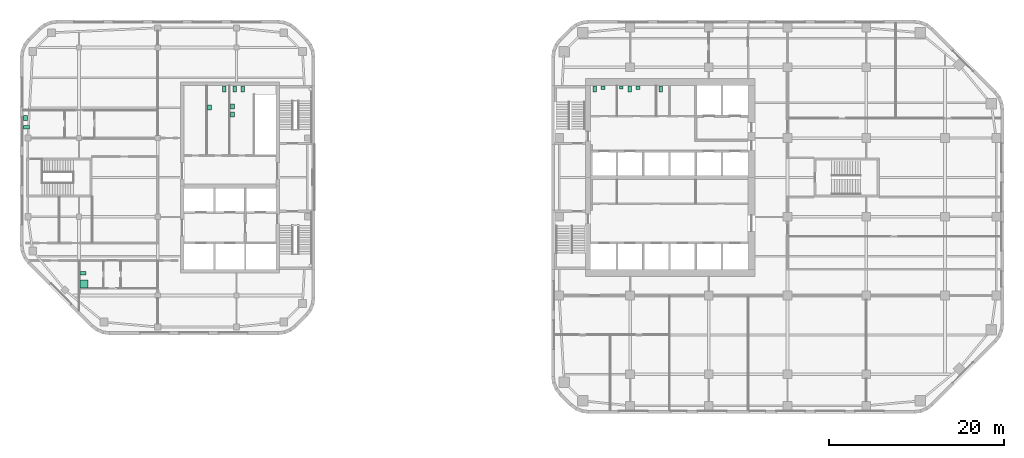
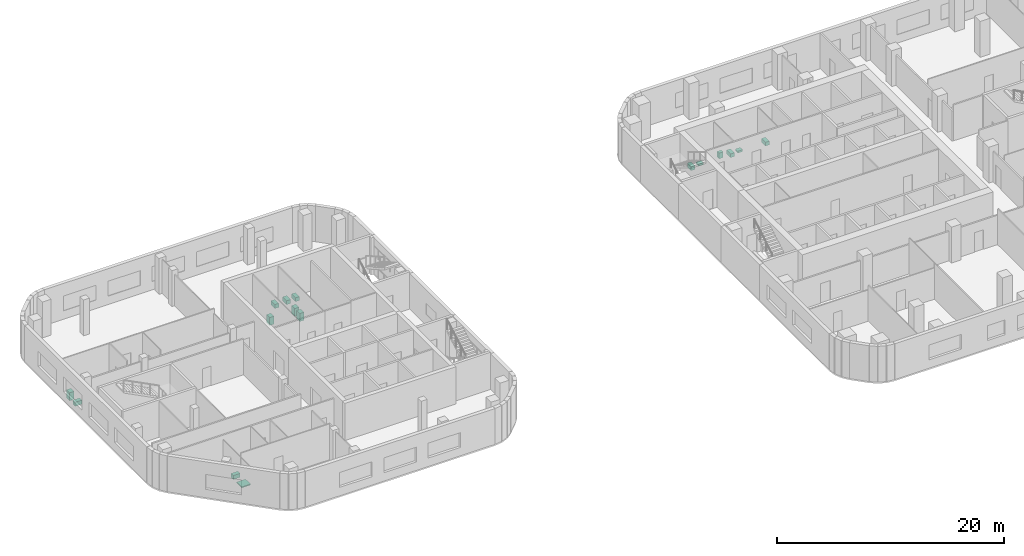
# One storey, part 14 of 14: 16 sanitary terminals.
"""IFC4 building model written with IfcOpenShell, lengths in metres."""

import ifcopenshell
import ifcopenshell.guid

model = None  # the IFC model being written
_history = None  # IfcOwnerHistory: only IFC2X3 demands one
_inside = {}  # id of a spatial element -> (the spatial element, [elements in it])
_under = {}  # id of a project, library or spatial element -> (it, [spatial elements below it])
_declared = {}  # id of a project -> (the project, [libraries it declares])
_typed = {}  # id of a type object -> (the type object, [elements of that type])
_made_of = {}  # id of a material, layer set ... -> (it, [elements and type objects made of it])


def new_model(schema):
    """Start an empty IFC model of exactly this schema.

    Asked for "IFC4X3", IfcOpenShell would pick the latest addendum, in which some entities
    have other attributes; the version numbers below select the first issue.
    IFC2X3 requires an IfcOwnerHistory on every rooted entity: one is made here for all.
    """
    global model, _history
    if schema == "IFC4X3":
        model = ifcopenshell.file(schema_version=(4, 3, 0, 0))
    else:
        model = ifcopenshell.file(schema=schema)
    _inside.clear()
    _under.clear()
    _declared.clear()
    _typed.clear()
    _made_of.clear()
    _history = None
    if model.schema == "IFC2X3":
        org = make("IfcOrganization", Name="unknown")
        user = make(
            "IfcPersonAndOrganization",
            ThePerson=make("IfcPerson", FamilyName="unknown"),
            TheOrganization=org,
        )
        app = make(
            "IfcApplication",
            ApplicationDeveloper=org,
            Version="unknown",
            ApplicationFullName="unknown",
            ApplicationIdentifier="unknown",
        )
        _history = make(
            "IfcOwnerHistory",
            OwningUser=user,
            OwningApplication=app,
            ChangeAction="ADDED",
            CreationDate=0,
        )
    return model


def make(cls, **values):
    """One entity of the class cls with the attributes given. An attribute that is None is left unset."""
    return model.create_entity(
        cls, **{name: value for name, value in values.items() if value is not None}
    )


def rooted(cls, **values):
    """An entity with a GlobalId (a new one), such as an element, a storey or a relation."""
    return make(cls, GlobalId=ifcopenshell.guid.new(), OwnerHistory=_history, **values)


def si_unit(unit_type, name, prefix=None):
    """IfcSIUnit, for example si_unit("LENGTHUNIT", "METRE", prefix="MILLI")."""
    return make("IfcSIUnit", UnitType=unit_type, Prefix=prefix, Name=name)


def assignment(units):
    """IfcUnitAssignment: the units of a project."""
    return None if units is None else make("IfcUnitAssignment", Units=units)


def point(xyz):
    """IfcCartesianPoint."""
    return None if xyz is None else make("IfcCartesianPoint", Coordinates=xyz)


def direction(xyz):
    """IfcDirection."""
    return None if xyz is None else make("IfcDirection", DirectionRatios=xyz)


def frame(location, z_axis=None, x_axis=None):
    """IfcAxis2Placement3D, a coordinate frame: its origin and axes. An axis left out is left unset."""
    return make(
        "IfcAxis2Placement3D",
        Location=point(location),
        Axis=direction(z_axis),
        RefDirection=direction(x_axis),
    )


def frame_2d(location, x_axis=None):
    """IfcAxis2Placement2D, a coordinate frame in the plane: its origin and x axis."""
    return make(
        "IfcAxis2Placement2D", Location=point(location), RefDirection=direction(x_axis)
    )


def origin():
    """The frame at (0, 0, 0) with its axes left unset."""
    return frame((0.0, 0.0, 0.0))


def origin_2d():
    """The frame at (0, 0) in the plane with its x axis left unset."""
    return frame_2d((0.0, 0.0))


def place(relative_to, where):
    """IfcLocalPlacement: puts the frame where relative to a parent placement (None: the world)."""
    return make(
        "IfcLocalPlacement", PlacementRelTo=relative_to, RelativePlacement=where
    )


def context(
    kind, dimensions, precision=None, world=None, true_north=None, identifier=None
):
    """IfcGeometricRepresentationContext, for example the 3D "Model" context."""
    return make(
        "IfcGeometricRepresentationContext",
        ContextIdentifier=identifier,
        ContextType=kind,
        CoordinateSpaceDimension=dimensions,
        Precision=precision,
        WorldCoordinateSystem=world,
        TrueNorth=true_north,
    )


def subcontext(parent, identifier, kind, view, scale=None):
    """IfcGeometricRepresentationSubContext, for example "Body" below "Model"."""
    return make(
        "IfcGeometricRepresentationSubContext",
        ContextIdentifier=identifier,
        ContextType=kind,
        ParentContext=parent,
        TargetScale=scale,
        TargetView=view,
    )


def project(units=None, contexts=None):
    """IfcProject with its units and contexts."""
    return rooted(
        "IfcProject",
        Name="project",
        RepresentationContexts=contexts,
        UnitsInContext=assignment(units),
    )


def spatial(cls, under=None, at=None, **own):
    """A site, building, storey or space (cls), placed at a placement, below another one or the project."""
    s = rooted(cls, ObjectPlacement=at, **own)
    if under is not None:
        _under.setdefault(under.id(), (under, []))[1].append(s)
    return s


def profile(cls, at=None, kind="AREA", **sizes):
    """A parametric profile (cls). Its sizes go by their IFC names, for example OverallWidth=200.0."""
    return make(cls, ProfileType=kind, Position=at, **sizes)


def rectangle(**sizes):
    """IfcRectangleProfileDef."""
    return profile("IfcRectangleProfileDef", **sizes)


def extrude(swept, where, along, depth):
    """IfcExtrudedAreaSolid: the profile swept, set in the frame where, extruded along a direction by depth."""
    return make(
        "IfcExtrudedAreaSolid",
        SweptArea=swept,
        Position=where,
        ExtrudedDirection=direction(along),
        Depth=depth,
    )


def shape(context_of_items, identifier, shape_type, items):
    """IfcShapeRepresentation: the items that make up one representation, for example the "Body"."""
    return make(
        "IfcShapeRepresentation",
        ContextOfItems=context_of_items,
        RepresentationIdentifier=identifier,
        RepresentationType=shape_type,
        Items=items,
    )


def material(Name=None, Category=None):
    """IfcMaterial."""
    return make("IfcMaterial", Name=Name, Category=Category)


def made_of(thing, what):
    """Note that an element or type object is made of a material, layer set ...; save() writes the relation."""
    if what is not None:
        _made_of.setdefault(what.id(), (what, []))[1].append(thing)
    return thing


def type_object(cls, material=None, **own):
    """A type object (cls), such as IfcWallType, which elements share."""
    return made_of(rooted(cls, **own), material)


def element(
    cls,
    number,
    at=None,
    inside=None,
    cuts=None,
    type_object=None,
    material=None,
    context=None,
    identifier="Body",
    shape_type=None,
    held_by="IfcProductDefinitionShape",
    body=None,
    shapes=None,
    **own,
):
    """One element of the class cls, such as IfcWall. Its Tag is "e" and its number.

    at: its placement. inside: the storey or other place that contains it. cuts: it is an
    opening in that element (IfcRelVoidsElement). A single representation is given by context,
    identifier, shape_type and body (its items); several are given by shapes. held_by: the class
    of the entity that holds the representations. save() writes the other relations.
    """
    e = rooted(cls, Tag="e%d" % number, ObjectPlacement=at, **own)
    if body is not None:
        shapes = [shape(context, identifier, shape_type, body)]
    if shapes is not None:
        e.Representation = make(held_by, Representations=shapes)
    if inside is not None:
        _inside.setdefault(inside.id(), (inside, []))[1].append(e)
    if cuts is not None:
        rooted(
            "IfcRelVoidsElement", RelatingBuildingElement=cuts, RelatedOpeningElement=e
        )
    if type_object is not None:
        _typed.setdefault(type_object.id(), (type_object, []))[1].append(e)
    return made_of(e, material)


def aggregate(whole, parts):
    """IfcRelAggregates: a whole, such as a stair, and the parts it consists of."""
    return rooted("IfcRelAggregates", RelatingObject=whole, RelatedObjects=parts)


def save(model, path):
    """Write the relations noted so far, then the file.

    IfcRelAggregates (storeys below a building ...), IfcRelContainedInSpatialStructure (elements
    in a storey), IfcRelDefinesByType, IfcRelAssociatesMaterial and IfcRelDeclares: one each for
    every whole, place, type object, material and project.
    """
    for whole, parts in _under.values():
        aggregate(whole, parts)
    for where, things in _inside.values():
        rooted(
            "IfcRelContainedInSpatialStructure",
            RelatedElements=things,
            RelatingStructure=where,
        )
    for kind, things in _typed.values():
        rooted("IfcRelDefinesByType", RelatedObjects=things, RelatingType=kind)
    for what, things in _made_of.values():
        rooted("IfcRelAssociatesMaterial", RelatedObjects=things, RelatingMaterial=what)
    for by, libraries in _declared.values():
        rooted("IfcRelDeclares", RelatingContext=by, RelatedDefinitions=libraries)
    model.write(path)


model = new_model("IFC4")

# Units and contexts
model_context = context("Model", 3, precision=1e-05, world=origin(), true_north=direction((0.0, 1.0)))
body_context = subcontext(model_context, "Body", "Model", "MODEL_VIEW")
ifc_project = project(units=[si_unit("LENGTHUNIT", "METRE"), si_unit("AREAUNIT", "SQUARE_METRE"), si_unit("VOLUMEUNIT", "CUBIC_METRE"), si_unit("PLANEANGLEUNIT", "RADIAN"), si_unit("MASSUNIT", "GRAM", prefix="KILO")], contexts=[model_context])

# Site, building, storey
site_placement = place(None, origin())
site = spatial("IfcSite", under=ifc_project, at=site_placement, CompositionType="ELEMENT")
building_placement = place(site_placement, origin())
building = spatial("IfcBuilding", under=site, at=building_placement, Name="Cinnabar Reach Civic Tower", CompositionType="ELEMENT")
storey_placement = place(building_placement, frame((0.0, 0.0, 128.0)))
storey = spatial("IfcBuildingStorey", under=building, at=storey_placement, Name="L30", CompositionType="ELEMENT", Elevation=128.0)

# Sanitary terminals
ifc_material_1 = material(Name="Vitreous china")
sanitary_terminal_type_1 = type_object("IfcSanitaryTerminalType", Name="T1 WC pan", PredefinedType="TOILETPAN", material=ifc_material_1)
for number, where, z_axis, x_axis, name in (
    (1, (4.95, 41.6, 0.0), (0.0, 0.0, 1.0), (1.0, 0.0, 0.0), "T1 WC pan 3007-1"),
    (2, (8.95, 41.6, 0.0), (0.0, 0.0, 1.0), (1.0, 0.0, 0.0), "T1 WC pan 3008-2"),
    (3, (12.5, 41.6, 0.0), (0.0, 0.0, 1.0), (1.0, 0.0, 0.0), "T1 WC pan 3009-1"),
):
    element("IfcSanitaryTerminal", number, at=place(storey_placement, frame(where, z_axis=z_axis, x_axis=x_axis)), inside=storey, type_object=sanitary_terminal_type_1, Name=name, PredefinedType="TOILETPAN", context=body_context, shape_type="SweptSolid", body=[
        extrude(rectangle(XDim=0.4, YDim=0.7, at=origin_2d()), origin(), (0.0, 0.0, 1.0), 0.4),
    ])
sanitary_terminal_type_2 = type_object("IfcSanitaryTerminalType", Name="T1 urinal", PredefinedType="URINAL", material=ifc_material_1)
sanitary_terminal_1_placement = place(storey_placement, frame((8.0, 41.775, 0.0), z_axis=(0.0, 0.0, 1.0), x_axis=(1.0, 0.0, 0.0)))
element("IfcSanitaryTerminal", 4, at=sanitary_terminal_1_placement, inside=storey, type_object=sanitary_terminal_type_2, Name="T1 urinal 3008-1", PredefinedType="URINAL", context=body_context, shape_type="SweptSolid", body=[
    extrude(rectangle(XDim=0.4, YDim=0.35, at=origin_2d()), origin(), (0.0, 0.0, 1.0), 0.6),
])
sanitary_terminal_type_3 = type_object("IfcSanitaryTerminalType", Name="T1 wash basin", PredefinedType="WASHHANDBASIN", material=ifc_material_1)
for number, where, z_axis, x_axis, name in (
    (5, (5.9, 41.74, 0.0), (0.0, 0.0, 1.0), (1.0, 0.0, 0.0), "T1 wash basin 3007-2"),
    (6, (9.9, 41.74, 0.0), (0.0, 0.0, 1.0), (1.0, 0.0, 0.0), "T1 wash basin 3008-3"),
):
    element("IfcSanitaryTerminal", number, at=place(storey_placement, frame(where, z_axis=z_axis, x_axis=x_axis)), inside=storey, type_object=sanitary_terminal_type_3, Name=name, PredefinedType="WASHHANDBASIN", context=body_context, shape_type="SweptSolid", body=[
        extrude(rectangle(XDim=0.5, YDim=0.42, at=origin_2d()), origin(), (0.0, 0.0, 1.0), 0.2),
    ])
ifc_material_2 = material(Name="Acrylic tray")
sanitary_terminal_type_4 = type_object("IfcSanitaryTerminalType", Name="T2 Shower tray", PredefinedType="SHOWER", material=ifc_material_2)
sanitary_terminal_2_placement = place(storey_placement, frame((-53.45, 19.3, 0.0), z_axis=(0.0, 0.0, 1.0), x_axis=(1.0, 0.0, 0.0)))
element("IfcSanitaryTerminal", 7, at=sanitary_terminal_2_placement, inside=storey, type_object=sanitary_terminal_type_4, Name="Shower tray", PredefinedType="SHOWER", context=body_context, shape_type="SweptSolid", body=[
    extrude(rectangle(XDim=0.9, YDim=0.9, at=origin_2d()), origin(), (0.0, 0.0, 1.0), 0.1),
])
sanitary_terminal_type_5 = type_object("IfcSanitaryTerminalType", Name="T2 WC pan", PredefinedType="TOILETPAN", material=ifc_material_1)
for number, where, z_axis, x_axis, name in (
    (8, (-37.4, 41.6, 0.0), (0.0, 0.0, 1.0), (1.0, 0.0, 0.0), "WC pan"),
    (9, (-36.2, 41.6, 0.0), (0.0, 0.0, 1.0), (1.0, 0.0, 0.0), "WC pan"),
    (10, (-35.3, 41.6, 0.0), (0.0, 0.0, 1.0), (1.0, 0.0, 0.0), "WC pan"),
):
    element("IfcSanitaryTerminal", number, at=place(storey_placement, frame(where, z_axis=z_axis, x_axis=x_axis)), inside=storey, type_object=sanitary_terminal_type_5, Name=name, PredefinedType="TOILETPAN", context=body_context, shape_type="SweptSolid", body=[
        extrude(rectangle(XDim=0.4, YDim=0.7, at=origin_2d()), origin(), (0.0, 0.0, 1.0), 0.42),
    ])
for number, where, z_axis, x_axis, name in (
    (11, (-53.55, 20.55, 0.0), (0.0, 0.0, 1.0), (1.0, 0.0, 0.0), "WC pan"),
    (12, (-59.99, 37.25, 0.0), (0.0, 0.0, 1.0), (1.0, 0.0, 0.0), "WC pan"),
):
    element("IfcSanitaryTerminal", number, at=place(storey_placement, frame(where, z_axis=z_axis, x_axis=x_axis)), inside=storey, type_object=sanitary_terminal_type_5, Name=name, PredefinedType="TOILETPAN", context=body_context, shape_type="SweptSolid", body=[
        extrude(rectangle(XDim=0.7, YDim=0.4, at=origin_2d()), origin(), (0.0, 0.0, 1.0), 0.42),
    ])
sanitary_terminal_type_6 = type_object("IfcSanitaryTerminalType", Name="T2 Wash basin", PredefinedType="WASHHANDBASIN", material=ifc_material_1)
for number, where, z_axis, x_axis, name in (
    (13, (-39.075, 39.5, 0.0), (0.0, 0.0, 1.0), (1.0, 0.0, 0.0), "Wash basin"),
    (14, (-36.475, 39.6, 0.0), (0.0, 0.0, 1.0), (1.0, 0.0, 0.0), "Wash basin"),
    (15, (-36.475, 38.7, 0.0), (0.0, 0.0, 1.0), (1.0, 0.0, 0.0), "Wash basin"),
    (16, (-60.115, 38.3, 0.0), (0.0, 0.0, 1.0), (1.0, 0.0, 0.0), "Wash basin"),
):
    element("IfcSanitaryTerminal", number, at=place(storey_placement, frame(where, z_axis=z_axis, x_axis=x_axis)), inside=storey, type_object=sanitary_terminal_type_6, Name=name, PredefinedType="WASHHANDBASIN", context=body_context, shape_type="SweptSolid", body=[
        extrude(rectangle(XDim=0.45, YDim=0.55, at=origin_2d()), origin(), (0.0, 0.0, 1.0), 0.85),
    ])

save(model, "model.ifc")
